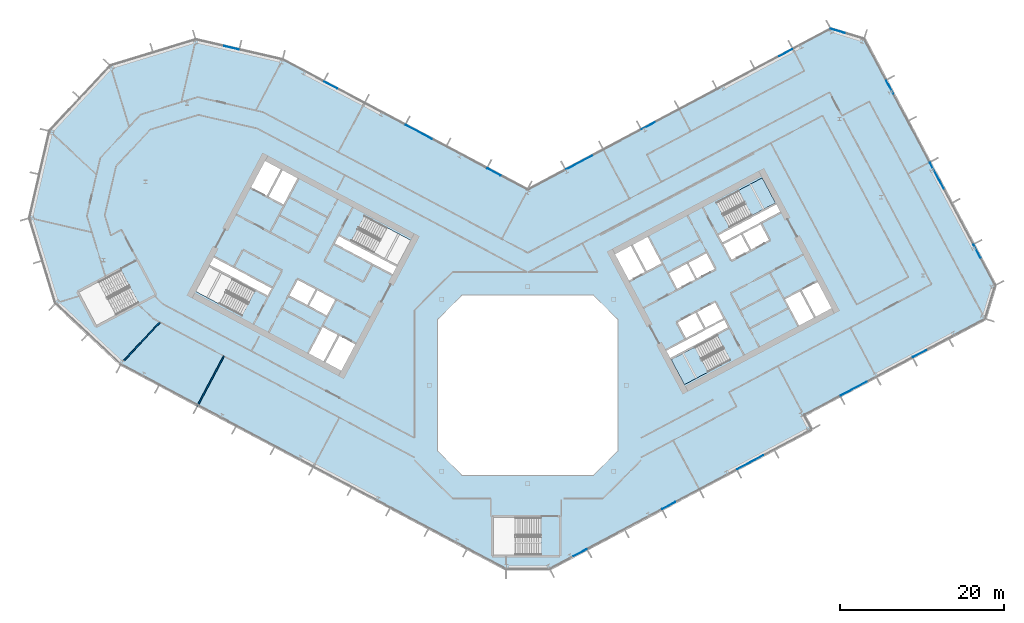
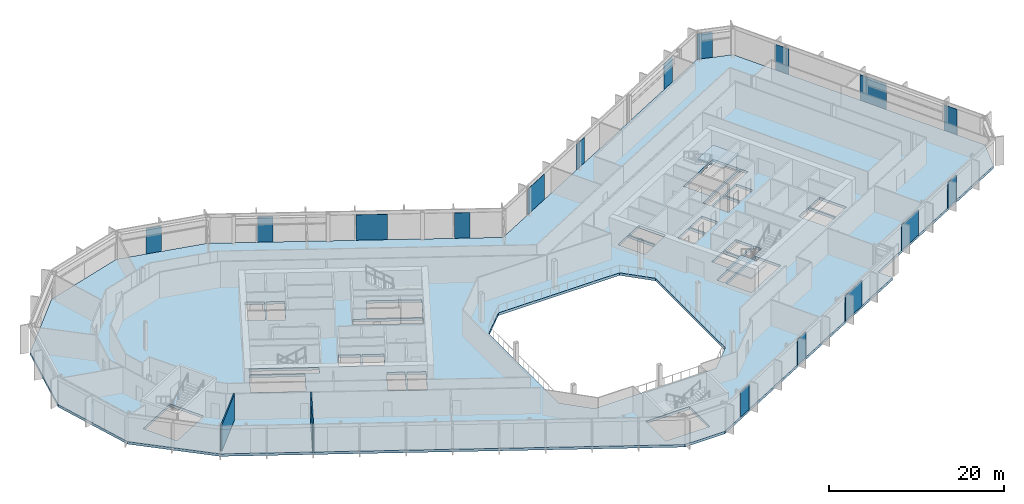
# One storey, part 12 of 28: 16 plates, 3 slabs, 2 walls, 9 elements without a shape of their own.
"""IFC4 building model written with IfcOpenShell, lengths in metres."""

from ifc_helpers import new_model, si_unit, direction, frame, frame_2d, origin, origin_2d, place, context, subcontext, project, spatial, polyline, rectangle, outline, extrude, material, layer, layer_set, type_object, element, aggregate, save


model = new_model("IFC4")

# Units and contexts
model_context = context("Model", 3, precision=1e-05, world=origin(), true_north=direction((0.0, 1.0)))
body_context = subcontext(model_context, "Body", "Model", "MODEL_VIEW")
ifc_project = project(units=[si_unit("LENGTHUNIT", "METRE"), si_unit("AREAUNIT", "SQUARE_METRE"), si_unit("VOLUMEUNIT", "CUBIC_METRE"), si_unit("PLANEANGLEUNIT", "RADIAN"), si_unit("MASSUNIT", "GRAM", prefix="KILO")], contexts=[model_context])

# Site, building, storey
site_placement = place(None, origin())
site = spatial("IfcSite", under=ifc_project, at=site_placement, CompositionType="ELEMENT")
building_placement = place(site_placement, origin())
building = spatial("IfcBuilding", under=site, at=building_placement, Name="Cormorant Relay Tower", CompositionType="ELEMENT")
storey_placement = place(building_placement, frame((0.0, 0.0, 134.199951171875)))
storey = spatial("IfcBuildingStorey", under=building, at=storey_placement, Name="L27", CompositionType="ELEMENT", Elevation=134.199951171875)

# Curtain wall, plates
ifc_material_1 = material(Name="Aluminium 6063-T6 anodised bronze", Category="aluminium")
ifc_layer_1 = layer(ifc_material_1, 0.199951171875)
ifc_layer_set_1 = layer_set([ifc_layer_1], Name="CW1 unitised bronze curtain wall with vertical fins")
curtain_wall_type = type_object("IfcCurtainWallType", Name="CW1 unitised bronze curtain wall with vertical fins", PredefinedType="NOTDEFINED", material=ifc_layer_set_1)
curtain_wall_1_placement = place(storey_placement, origin())
curtain_wall_1 = element("IfcCurtainWall", 1, at=curtain_wall_1_placement, inside=storey, type_object=curtain_wall_type, Name="CW1 curtain wall 2", PredefinedType="NOTDEFINED")
ifc_material_2 = material(Name="Tinted laminated glass", Category="glass")
ifc_layer_2 = layer(ifc_material_2, 0.0400390625)
ifc_layer_set_2 = layer_set([ifc_layer_2], Name="CW1 tinted vision panel 1800 module")
plate_type_1 = type_object("IfcPlateType", Name="CW1 tinted vision panel 1800 module", PredefinedType="CURTAIN_PANEL", material=ifc_layer_set_2)
plate_1_placement = place(storey_placement, frame((6.359130859375, -20.42529296875, 0.0), z_axis=(0.0, 0.0, 1.0), x_axis=(0.882947592859, 0.469471562786, 0.0)))
plate_1 = element("IfcPlate", 2, at=plate_1_placement, type_object=plate_type_1, Name="CW1 panel V01", PredefinedType="CURTAIN_PANEL", context=body_context, shape_type="SweptSolid", body=[
    extrude(rectangle(XDim=1.800048828125, YDim=0.0400390625, at=origin_2d()), origin(), (0.0, 0.0, 1.0), 3.550048828125),
])
plate_2_placement = place(storey_placement, frame((17.20458984375, -14.65869140625, 0.0), z_axis=(0.0, 0.0, 1.0), x_axis=(0.882947592859, 0.469471562786, 0.0)))
plate_2 = element("IfcPlate", 3, at=plate_2_placement, type_object=plate_type_1, Name="CW1 panel V03", PredefinedType="CURTAIN_PANEL", context=body_context, shape_type="SweptSolid", body=[
    extrude(rectangle(XDim=1.800048828125, YDim=0.0400390625, at=origin_2d()), origin(), (0.0, 0.0, 1.0), 3.550048828125),
])

# Curtain wall, plate
curtain_wall_2_placement = place(storey_placement, origin())
curtain_wall_2 = element("IfcCurtainWall", 4, at=curtain_wall_2_placement, inside=storey, type_object=curtain_wall_type, Name="CW1 curtain wall 4", PredefinedType="NOTDEFINED")
plate_3_placement = place(storey_placement, frame((47.757080078125, 3.851318359375, 0.0), z_axis=(0.0, 0.0, 1.0), x_axis=(0.882947592859, 0.469471562786, 0.0)))
plate_3 = element("IfcPlate", 5, at=plate_3_placement, type_object=plate_type_1, Name="CW1 panel V03", PredefinedType="CURTAIN_PANEL", context=body_context, shape_type="SweptSolid", body=[
    extrude(rectangle(XDim=1.800048828125, YDim=0.0400390625, at=origin_2d()), origin(), (0.0, 0.0, 1.0), 3.550048828125),
])

# Curtain wall, plates
curtain_wall_3_placement = place(storey_placement, origin())
curtain_wall_3 = element("IfcCurtainWall", 6, at=curtain_wall_3_placement, inside=storey, type_object=curtain_wall_type, Name="CW1 curtain wall 6", PredefinedType="NOTDEFINED")
plate_4_placement = place(storey_placement, frame((54.771728515625, 16.315185546875, 0.0), z_axis=(0.0, 0.0, 1.0), x_axis=(-0.469471562786, 0.882947592859, 0.0)))
plate_4 = element("IfcPlate", 7, at=plate_4_placement, type_object=plate_type_1, Name="CW1 panel V01", PredefinedType="CURTAIN_PANEL", context=body_context, shape_type="SweptSolid", body=[
    extrude(rectangle(XDim=1.800048828125, YDim=0.0400390625, at=origin_2d()), origin(), (0.0, 0.0, 1.0), 3.550048828125),
])
plate_5_placement = place(storey_placement, frame((44.13037109375, 36.32861328125, 0.0), z_axis=(0.0, 0.0, 1.0), x_axis=(-0.469471562786, 0.882947592859, 0.0)))
plate_5 = element("IfcPlate", 8, at=plate_5_placement, type_object=plate_type_1, Name="CW1 panel V05", PredefinedType="CURTAIN_PANEL", context=body_context, shape_type="SweptSolid", body=[
    extrude(rectangle(XDim=1.800048828125, YDim=0.0400390625, at=origin_2d()), origin(), (0.0, 0.0, 1.0), 3.550048828125),
])

# Curtain wall, plate
curtain_wall_4_placement = place(storey_placement, origin())
curtain_wall_4 = element("IfcCurtainWall", 9, at=curtain_wall_4_placement, inside=storey, type_object=curtain_wall_type, Name="CW1 curtain wall 7", PredefinedType="NOTDEFINED")
plate_6_placement = place(storey_placement, frame((37.8037109375, 43.179931640625, 0.0), z_axis=(0.0, 0.0, 1.0), x_axis=(-0.956304755963, 0.292371704723, 0.0)))
plate_6 = element("IfcPlate", 10, at=plate_6_placement, type_object=plate_type_1, Name="CW1 panel V01", PredefinedType="CURTAIN_PANEL", context=body_context, shape_type="SweptSolid", body=[
    extrude(rectangle(XDim=1.800048828125, YDim=0.0400390625, at=origin_2d()), origin(), (0.0, 0.0, 1.0), 3.550048828125),
])
aggregate(curtain_wall_4, [plate_6])

# Curtain wall, plates
curtain_wall_5_placement = place(storey_placement, origin())
curtain_wall_5 = element("IfcCurtainWall", 11, at=curtain_wall_5_placement, inside=storey, type_object=curtain_wall_type, Name="CW1 curtain wall 8", PredefinedType="NOTDEFINED")
plate_7_placement = place(storey_placement, frame((31.449951171875, 40.52880859375, 0.0), z_axis=(0.0, 0.0, 1.0), x_axis=(-0.882947592859, -0.469471562786, 0.0)))
plate_7 = element("IfcPlate", 12, at=plate_7_placement, type_object=plate_type_1, Name="CW1 panel V01", PredefinedType="CURTAIN_PANEL", context=body_context, shape_type="SweptSolid", body=[
    extrude(rectangle(XDim=1.800048828125, YDim=0.0400390625, at=origin_2d()), origin(), (0.0, 0.0, 1.0), 3.550048828125),
])
plate_8_placement = place(storey_placement, frame((14.702880859375, 31.624267578125, 0.0), z_axis=(0.0, 0.0, 1.0), x_axis=(-0.882947592859, -0.469471562786, 0.0)))
plate_8 = element("IfcPlate", 13, at=plate_8_placement, type_object=plate_type_1, Name="CW1 panel V04", PredefinedType="CURTAIN_PANEL", context=body_context, shape_type="SweptSolid", body=[
    extrude(rectangle(XDim=1.800048828125, YDim=0.0400390625, at=origin_2d()), origin(), (0.0, 0.0, 1.0), 3.550048828125),
])

curtain_wall_6_placement = place(storey_placement, origin())
curtain_wall_6 = element("IfcCurtainWall", 14, at=curtain_wall_6_placement, inside=storey, type_object=curtain_wall_type, Name="CW1 curtain wall 9", PredefinedType="NOTDEFINED")
plate_9_placement = place(storey_placement, frame((-4.108642578125, 25.9912109375, 0.0), z_axis=(0.0, 0.0, 1.0), x_axis=(-0.882947592859, 0.469471562786, 0.0)))
plate_9 = element("IfcPlate", 15, at=plate_9_placement, type_object=plate_type_1, Name="CW1 panel V01", PredefinedType="CURTAIN_PANEL", context=body_context, shape_type="SweptSolid", body=[
    extrude(rectangle(XDim=1.800048828125, YDim=0.0400390625, at=origin_2d()), origin(), (0.0, 0.0, 1.0), 3.550048828125),
])
plate_10_placement = place(storey_placement, frame((-24.0244140625, 36.580810546875, 0.0), z_axis=(0.0, 0.0, 1.0), x_axis=(-0.882947592859, 0.469471562786, 0.0)))
plate_10 = element("IfcPlate", 16, at=plate_10_placement, type_object=plate_type_1, Name="CW1 panel V05", PredefinedType="CURTAIN_PANEL", context=body_context, shape_type="SweptSolid", body=[
    extrude(rectangle(XDim=1.800048828125, YDim=0.0400390625, at=origin_2d()), origin(), (0.0, 0.0, 1.0), 3.550048828125),
])

# Curtain wall, plate
curtain_wall_7_placement = place(storey_placement, origin())
curtain_wall_7 = element("IfcCurtainWall", 17, at=curtain_wall_7_placement, inside=storey, type_object=curtain_wall_type, Name="CW1 curtain wall 10", PredefinedType="NOTDEFINED")
plate_11_placement = place(storey_placement, frame((-36.114990234375, 41.129638671875, 0.0), z_axis=(0.0, 0.0, 1.0), x_axis=(-0.974370064785, 0.224951054344, 0.0)))
plate_11 = element("IfcPlate", 18, at=plate_11_placement, type_object=plate_type_1, Name="CW1 panel V01", PredefinedType="CURTAIN_PANEL", context=body_context, shape_type="SweptSolid", body=[
    extrude(rectangle(XDim=1.800048828125, YDim=0.0400390625, at=origin_2d()), origin(), (0.0, 0.0, 1.0), 3.550048828125),
])
aggregate(curtain_wall_7, [plate_11])

# Plate
ifc_material_3 = material(Name="Tinted laminated glass", Category="glass")
ifc_layer_3 = layer(ifc_material_3, 0.0400390625)
ifc_layer_set_3 = layer_set([ifc_layer_3], Name="CW1 tinted vision panel 3600 module")
plate_type_2 = type_object("IfcPlateType", Name="CW1 tinted vision panel 3600 module", PredefinedType="CURTAIN_PANEL", material=ifc_layer_set_3)
plate_12_placement = place(storey_placement, frame((27.122802734375, -9.38525390625, 0.0), z_axis=(0.0, 0.0, 1.0), x_axis=(0.882947592859, 0.469471562786, 0.0)))
plate_12 = element("IfcPlate", 19, at=plate_12_placement, type_object=plate_type_2, Name="CW1 panel V05", PredefinedType="CURTAIN_PANEL", context=body_context, shape_type="SweptSolid", body=[
    extrude(rectangle(XDim=3.60009765625, YDim=0.0400390625, at=origin_2d()), origin(), (0.0, 0.0, 1.0), 3.550048828125),
])

aggregate(curtain_wall_1, [plate_1, plate_2, plate_12])

plate_13_placement = place(storey_placement, frame((39.72216796875, -0.4208984375, 0.0), z_axis=(0.0, 0.0, 1.0), x_axis=(0.882947592859, 0.469471562786, 0.0)))
plate_13 = element("IfcPlate", 20, at=plate_13_placement, type_object=plate_type_2, Name="CW1 panel V01", PredefinedType="CURTAIN_PANEL", context=body_context, shape_type="SweptSolid", body=[
    extrude(rectangle(XDim=3.60009765625, YDim=0.0400390625, at=origin_2d()), origin(), (0.0, 0.0, 1.0), 3.550048828125),
])

aggregate(curtain_wall_2, [plate_13, plate_3])

plate_14_placement = place(storey_placement, frame((49.87353515625, 25.527099609375, 0.0), z_axis=(0.0, 0.0, 1.0), x_axis=(-0.469471562786, 0.882947592859, 0.0)))
plate_14 = element("IfcPlate", 21, at=plate_14_placement, type_object=plate_type_2, Name="CW1 panel V03", PredefinedType="CURTAIN_PANEL", context=body_context, shape_type="SweptSolid", body=[
    extrude(rectangle(XDim=3.60009765625, YDim=0.0400390625, at=origin_2d()), origin(), (0.0, 0.0, 1.0), 3.550048828125),
])

aggregate(curtain_wall_3, [plate_4, plate_14, plate_5])

plate_15_placement = place(storey_placement, frame((6.26318359375, 27.136962890625, 0.0), z_axis=(0.0, 0.0, 1.0), x_axis=(-0.882947592859, -0.469471562786, 0.0)))
plate_15 = element("IfcPlate", 22, at=plate_15_placement, type_object=plate_type_2, Name="CW1 panel V06", PredefinedType="CURTAIN_PANEL", context=body_context, shape_type="SweptSolid", body=[
    extrude(rectangle(XDim=3.60009765625, YDim=0.0400390625, at=origin_2d()), origin(), (0.0, 0.0, 1.0), 3.550048828125),
])

aggregate(curtain_wall_5, [plate_7, plate_8, plate_15])

plate_16_placement = place(storey_placement, frame((-13.27197265625, 30.86328125, 0.0), z_axis=(0.0, 0.0, 1.0), x_axis=(-0.882947592859, 0.469471562786, 0.0)))
plate_16 = element("IfcPlate", 23, at=plate_16_placement, type_object=plate_type_2, Name="CW1 panel V03", PredefinedType="CURTAIN_PANEL", context=body_context, shape_type="SweptSolid", body=[
    extrude(rectangle(XDim=3.60009765625, YDim=0.0400390625, at=origin_2d()), origin(), (0.0, 0.0, 1.0), 3.550048828125),
])

aggregate(curtain_wall_6, [plate_9, plate_16, plate_10])

# Stair, slab
ifc_material_4 = material(Name="Concrete 40 MPa", Category="concrete")
stair_type = type_object("IfcStairType", Name="Exit stair 1500", PredefinedType="HALF_TURN_STAIR", material=ifc_material_4)
stair_1_placement = place(storey_placement, origin())
stair_1 = element("IfcStair", 24, at=stair_1_placement, inside=storey, type_object=stair_type, Name="L27 Stair", PredefinedType="HALF_TURN_STAIR")
ifc_material_5 = material(Name="Concrete 40 MPa", Category="concrete")
ifc_layer_4 = layer(ifc_material_5, 0.199951171875)
ifc_layer_set_4 = layer_set([ifc_layer_4], Name="Exit stair landing 200")
slab_type_1 = type_object("IfcSlabType", Name="Exit stair landing 200", PredefinedType="LANDING", material=ifc_layer_set_4)
slab_1_placement = place(storey_placement, frame((0.0, 0.0, 1.800048828125)))
slab_1 = element("IfcSlab", 25, at=slab_1_placement, type_object=slab_type_1, Name="B1 landing 1", PredefinedType="LANDING", context=body_context, shape_type="SweptSolid", body=[
    extrude(outline(polyline([(20.36767578125, 4.6572265625), (17.48046875, 3.1220703125), (19.10009765625, 0.075927734375), (21.9873046875, 1.611083984375), (20.36767578125, 4.6572265625)])), origin(), (0.0, 0.0, 1.0), 0.199951171875),
])
aggregate(stair_1, [slab_1])

stair_2_placement = place(storey_placement, origin())
stair_2 = element("IfcStair", 26, at=stair_2_placement, inside=storey, type_object=stair_type, Name="L27 Stair", PredefinedType="HALF_TURN_STAIR")
slab_2_placement = place(storey_placement, frame((0.0, 0.0, 1.800048828125)))
slab_2 = element("IfcSlab", 27, at=slab_2_placement, type_object=slab_type_1, Name="B2 landing 1", PredefinedType="LANDING", context=body_context, shape_type="SweptSolid", body=[
    extrude(outline(polyline([(27.3115234375, 20.6943359375), (30.19873046875, 22.2294921875), (28.5791015625, 25.275634765625), (25.69189453125, 23.740478515625), (27.3115234375, 20.6943359375)])), origin(), (0.0, 0.0, 1.0), 0.199951171875),
])
aggregate(stair_2, [slab_2])

# Slab
ifc_material_6 = material(Name="Concrete 40 MPa", Category="concrete")
ifc_layer_5 = layer(ifc_material_6, 0.360107421875)
ifc_layer_set_5 = layer_set([ifc_layer_5], Name="Flat plate 360")
slab_type_2 = type_object("IfcSlabType", Name="Flat plate 360", PredefinedType="FLOOR", material=ifc_layer_set_5)
slab_3_placement = place(storey_placement, frame((0.0, 0.0, -0.35986328125)))
element("IfcSlab", 28, at=slab_3_placement, inside=storey, type_object=slab_type_2, Name="Floor slab L27", PredefinedType="FLOOR", context=body_context, shape_type="SweptSolid", body=[
    extrude(outline(polyline([(-60.7197265625, 20.393310546875), (-58.2744140625, 30.985107421875), (-50.86083984375, 38.935302734375), (-40.465576171875, 42.11328125), (-29.873779296875, 39.668212890625), (0.0, 23.783935546875), (36.937255859375, 43.423828125), (40.99462890625, 42.18359375), (56.95654296875, 12.1630859375), (55.71630859375, 8.10595703125), (33.642578125, -3.630859375), (34.581298828125, -5.396728515625), (2.648681640625, -22.37548828125), (-2.648681640625, -22.37548828125), (-49.591552734375, 2.584228515625), (-57.541748046875, 9.997802734375), (-60.7197265625, 20.393310546875)]), holes=[polyline([(11.0, -8.0), (11.0, 8.0), (8.0, 11.0), (-8.0, 11.0), (-11.0, 8.0), (-11.0, -8.0), (-8.0, -11.0), (8.0, -11.0), (11.0, -8.0)]), polyline([(-4.199951171875, -16.125), (-4.199951171875, -20.675048828125), (1.60009765625, -20.675048828125), (1.60009765625, -16.125), (-4.199951171875, -16.125)]), polyline([(-22.95458984375, 6.03271484375), (-24.668212890625, 2.81005859375), (-22.725830078125, 1.777099609375), (-21.01220703125, 5.0), (-23.04296875, 6.07958984375), (-22.95458984375, 6.03271484375)]), polyline([(-24.985595703125, 7.112548828125), (-26.69921875, 3.889892578125), (-24.844970703125, 2.90380859375), (-23.13134765625, 6.126708984375), (-23.04296875, 6.07958984375), (-24.985595703125, 7.112548828125)]), polyline([(-26.688720703125, 9.660400390625), (-24.481201171875, 8.48681640625), (-23.448486328125, 10.42919921875), (-25.656005859375, 11.602783203125), (-26.688720703125, 9.660400390625)]), polyline([(-49.57861328125, 14.0537109375), (-54.69970703125, 11.330810546875), (-52.563720703125, 7.3134765625), (-47.442626953125, 10.036376953125), (-49.57861328125, 14.0537109375)]), polyline([(-28.039794921875, 12.870361328125), (-29.07275390625, 10.927978515625), (-26.865234375, 9.75439453125), (-25.83251953125, 11.69677734375), (-28.039794921875, 12.870361328125)]), polyline([(-38.847900390625, 14.483154296875), (-40.46728515625, 11.43701171875), (-34.860595703125, 8.455810546875), (-33.240966796875, 11.502197265625), (-38.847900390625, 14.483154296875)]), polyline([(-38.260986328125, 15.5869140625), (-38.75390625, 14.659912109375), (-31.690185546875, 10.904052734375), (-31.197265625, 11.8310546875), (-38.260986328125, 15.5869140625)]), polyline([(14.3056640625, 13.779052734375), (12.592041015625, 17.001708984375), (10.649658203125, 15.968994140625), (12.36328125, 12.74609375), (14.39404296875, 13.825927734375), (14.3056640625, 13.779052734375)]), polyline([(16.33642578125, 14.85888671875), (14.622802734375, 18.08154296875), (12.768798828125, 17.095703125), (14.482421875, 13.872802734375), (14.39404296875, 13.825927734375), (16.33642578125, 14.85888671875)]), polyline([(-16.481689453125, 13.520263671875), (-15.989013671875, 14.447509765625), (-23.052490234375, 18.203125), (-23.54541015625, 17.276123046875), (-16.481689453125, 13.520263671875)]), polyline([(-21.501708984375, 17.605224609375), (-15.89501953125, 14.6240234375), (-14.275390625, 17.670166015625), (-19.882080078125, 20.6513671875), (-21.501708984375, 17.605224609375)]), polyline([(-31.611572265625, 22.980712890625), (-29.75732421875, 21.99462890625), (-28.043701171875, 25.217529296875), (-29.89794921875, 26.203369140625), (-31.611572265625, 22.980712890625)]), polyline([(-32.01708984375, 27.330078125), (-33.73046875, 24.107421875), (-31.7880859375, 23.074462890625), (-30.074462890625, 26.29736328125), (-32.01708984375, 27.330078125)]), polyline([(17.48046875, 3.1220703125), (19.10009765625, 0.07568359375), (24.706787109375, 3.056884765625), (23.087158203125, 6.10302734375), (17.48046875, 3.1220703125)]), polyline([(16.8935546875, 4.2255859375), (17.386474609375, 3.298583984375), (24.4501953125, 7.054443359375), (23.957275390625, 7.9814453125), (16.8935546875, 4.2255859375)]), polyline([(20.446533203125, 8.8330078125), (18.239013671875, 7.6591796875), (19.27197265625, 5.716796875), (21.479248046875, 6.890380859375), (20.446533203125, 8.8330078125)]), polyline([(20.623046875, 8.927001953125), (21.656005859375, 6.984375), (23.86328125, 8.158203125), (22.830322265625, 10.1005859375), (20.623046875, 8.927001953125)]), polyline([(33.197021484375, 11.478515625), (31.3427734375, 10.49267578125), (33.056396484375, 7.27001953125), (34.910400390625, 8.255859375), (33.197021484375, 11.478515625)]), polyline([(33.37353515625, 11.572509765625), (35.087158203125, 8.349609375), (37.029541015625, 9.382568359375), (35.31591796875, 12.605224609375), (33.37353515625, 11.572509765625)]), polyline([(17.19384765625, 13.67236328125), (18.2265625, 11.72998046875), (20.43408203125, 12.903564453125), (19.401123046875, 14.84619140625), (17.19384765625, 13.67236328125)]), polyline([(20.610595703125, 12.99755859375), (22.81787109375, 14.171142578125), (21.78515625, 16.113525390625), (19.57763671875, 14.93994140625), (20.610595703125, 12.99755859375)]), polyline([(26.023193359375, 18.3671875), (23.81591796875, 17.193359375), (24.8486328125, 15.2509765625), (27.05615234375, 16.424560546875), (26.023193359375, 18.3671875)]), polyline([(29.440185546875, 17.692138671875), (28.4072265625, 19.634765625), (26.19970703125, 18.4609375), (27.232666015625, 16.5185546875), (29.440185546875, 17.692138671875)]), polyline([(30.78564453125, 21.125732421875), (30.29248046875, 22.052978515625), (23.22900390625, 18.297119140625), (23.721923828125, 17.3701171875), (30.78564453125, 21.125732421875)]), polyline([(24.592041015625, 19.248291015625), (30.19873046875, 22.2294921875), (28.5791015625, 25.275634765625), (22.972412109375, 22.29443359375), (24.592041015625, 19.248291015625)])]), origin(), (0.0, 0.0, 1.0), 0.35986328125),
])

# Walls
ifc_material_7 = material(Name="Gypsum board partition")
ifc_layer_6 = layer(ifc_material_7, 0.14990234375)
ifc_layer_set_6 = layer_set([ifc_layer_6], Name="Tenant partition 150")
wall_type = type_object("IfcWallType", Name="Tenant partition 150", PredefinedType="PARTITIONING", material=ifc_layer_set_6)
wall_1_placement = place(storey_placement, frame((-44.825927734375, 7.695068359375, 0.0), z_axis=(0.0, 0.0, 1.0), x_axis=(-0.681994231605, -0.731357551446, 0.0)))
element("IfcWall", 29, at=wall_1_placement, inside=storey, type_object=wall_type, Name="wall/L27/part/011", PredefinedType="PARTITIONING", context=body_context, shape_type="SweptSolid", body=[
    extrude(rectangle(XDim=6.4443359375, YDim=0.14990234375, at=frame_2d((3.22216796875, 0.0))), origin(), (0.0, 0.0, 1.0), 3.64013671875),
])
wall_2_placement = place(storey_placement, frame((-37.033935546875, 3.552001953125, 0.0), z_axis=(0.0, 0.0, 1.0), x_axis=(-0.469541311651, -0.882910503196, 0.0)))
element("IfcWall", 30, at=wall_2_placement, inside=storey, type_object=wall_type, Name="wall/L27/part/012", PredefinedType="PARTITIONING", context=body_context, shape_type="SweptSolid", body=[
    extrude(rectangle(XDim=6.94970703125, YDim=0.14990234375, at=frame_2d((3.474853515625, 0.0))), origin(), (0.0, 0.0, 1.0), 3.64013671875),
])

save(model, "model.ifc")
